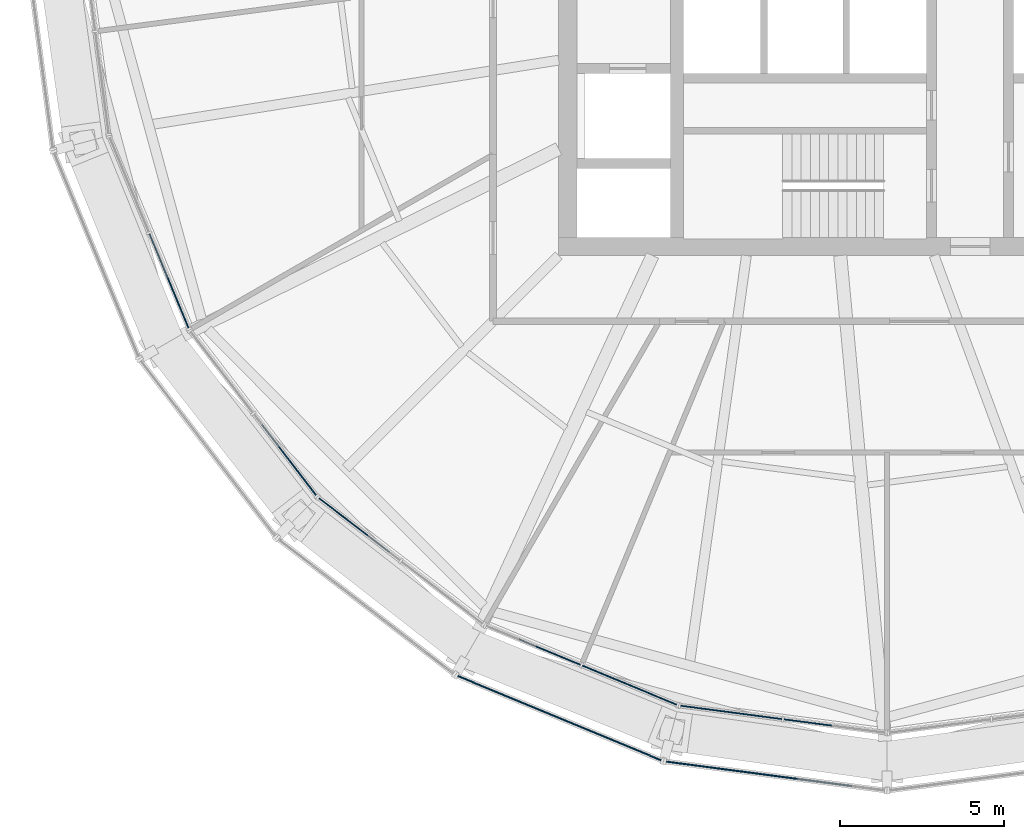
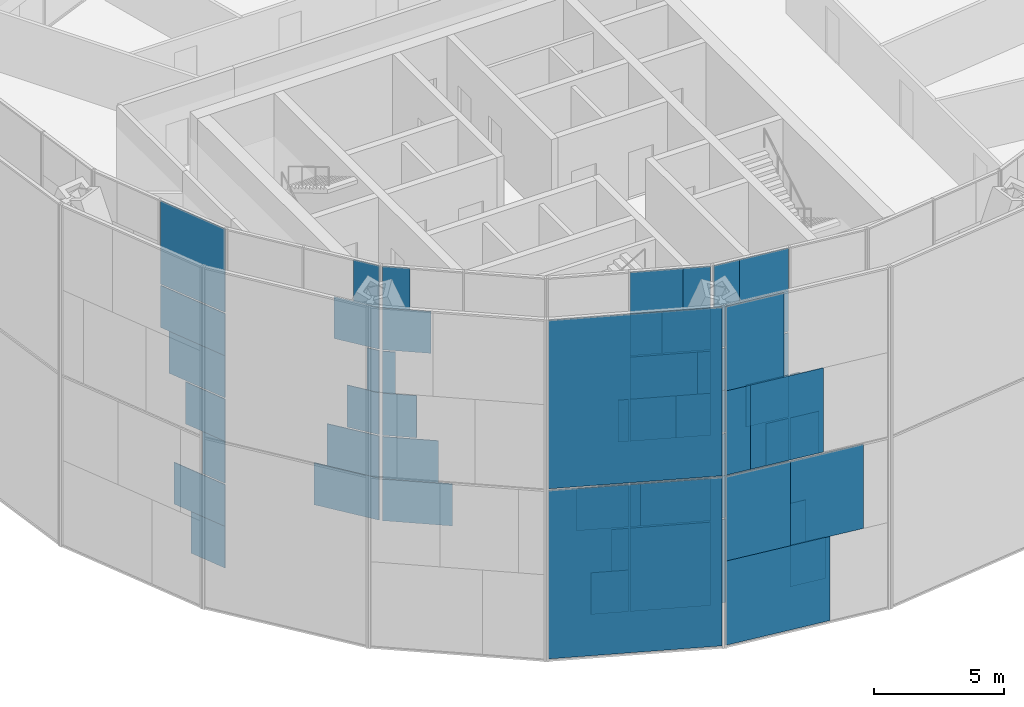
# One storey, part 14 of 29: 62 plates, 7 elements without a shape of their own.
"""IFC4 building model written with IfcOpenShell, lengths in metres."""

from ifc_helpers import new_model, si_unit, direction, frame, origin, origin_2d, place, context, subcontext, project, spatial, rectangle, extrude, material, layer, layer_set, type_object, element, aggregate, save


model = new_model("IFC4")

# Units and contexts
model_context = context("Model", 3, precision=1e-05, world=origin(), true_north=direction((0.0, 1.0)))
body_context = subcontext(model_context, "Body", "Model", "MODEL_VIEW")
ifc_project = project(units=[si_unit("LENGTHUNIT", "METRE"), si_unit("AREAUNIT", "SQUARE_METRE"), si_unit("VOLUMEUNIT", "CUBIC_METRE"), si_unit("PLANEANGLEUNIT", "RADIAN"), si_unit("MASSUNIT", "GRAM", prefix="KILO")], contexts=[model_context])

# Site, building, storey
site_placement = place(None, origin())
site = spatial("IfcSite", under=ifc_project, at=site_placement, CompositionType="ELEMENT")
building_placement = place(site_placement, origin())
building = spatial("IfcBuilding", under=site, at=building_placement, Name="Golbaran Civic Tower", CompositionType="ELEMENT")
storey_placement = place(building_placement, frame((0.0, 0.0, 118.0)))
storey = spatial("IfcBuildingStorey", under=building, at=storey_placement, Name="L28", CompositionType="ELEMENT", Elevation=118.0)

# Curtain wall, plates
ifc_material_1 = material(Name="Aluminium and glass", Category="aluminium")
curtain_wall_type_1 = type_object("IfcCurtainWallType", Name="INNER SKIN CURTAIN WALL", PredefinedType="NOTDEFINED", material=ifc_material_1)
curtain_wall_1_placement = place(storey_placement, origin())
curtain_wall_1 = element("IfcCurtainWall", 1, at=curtain_wall_1_placement, inside=storey, type_object=curtain_wall_type_1, Name="Inner skin L28 facet 14 CW1", ObjectType="INNER SKIN", PredefinedType="USERDEFINED")
ifc_material_2 = material(Name="Clear insulating glass", Category="glass")
ifc_layer_1 = layer(ifc_material_2, 0.031982421875, Name="Clear insulating glass")
ifc_layer_set_1 = layer_set([ifc_layer_1], Name="Clear insulating glass")
plate_type_1 = type_object("IfcPlateType", Name="INNER SKIN CURTAIN WALL GLAZED PANEL", PredefinedType="CURTAIN_PANEL", material=ifc_layer_set_1)
plate_1_placement = place(storey_placement, frame((-21.480712890625, -11.703125, 4.03271484375), z_axis=(0.0, 0.0, 1.0), x_axis=(0.38268343243, -0.923879532485, 0.0)))
plate_1 = element("IfcPlate", 2, at=plate_1_placement, type_object=plate_type_1, Name="CW1 panel 2.2 part 2", PredefinedType="CURTAIN_PANEL", context=body_context, shape_type="SweptSolid", body=[
    extrude(rectangle(XDim=1.0908203125, YDim=0.031982421875, at=origin_2d()), origin(), (0.0, 0.0, 1.0), 1.967529296875),
])
plate_2_placement = place(storey_placement, frame((-21.63671875, -11.32666015625, 6.0), z_axis=(0.0, 0.0, 1.0), x_axis=(0.38268343243, -0.923879532485, 0.0)))
plate_2 = element("IfcPlate", 3, at=plate_2_placement, type_object=plate_type_1, Name="CW1 panel 2.2 part 4", PredefinedType="CURTAIN_PANEL", context=body_context, shape_type="SweptSolid", body=[
    extrude(rectangle(XDim=1.90576171875, YDim=0.031982421875, at=origin_2d()), origin(), (0.0, 0.0, 1.0), 1.967529296875),
])
plate_3_placement = place(storey_placement, frame((-21.78955078125, -10.95751953125, 8.03271484375), z_axis=(0.0, 0.0, 1.0), x_axis=(0.38268343243, -0.923879532485, 0.0)))
plate_3 = element("IfcPlate", 4, at=plate_3_placement, type_object=plate_type_1, Name="CW1 panel 2.3 part 2", PredefinedType="CURTAIN_PANEL", context=body_context, shape_type="SweptSolid", body=[
    extrude(rectangle(XDim=2.704833984375, YDim=0.031982421875, at=origin_2d()), origin(), (0.0, 0.0, 1.0), 1.967529296875),
])
plate_4_placement = place(storey_placement, frame((-21.865966796875, -10.772705078125, 10.0), z_axis=(0.0, 0.0, 1.0), x_axis=(0.38268343243, -0.923879532485, 0.0)))
plate_4 = element("IfcPlate", 5, at=plate_4_placement, type_object=plate_type_1, Name="CW1 panel 2.3 part 3", PredefinedType="CURTAIN_PANEL", context=body_context, shape_type="SweptSolid", body=[
    extrude(rectangle(XDim=3.104736328125, YDim=0.031982421875, at=origin_2d()), origin(), (0.0, 0.0, 1.0), 1.967529296875),
])
plate_5_placement = place(storey_placement, frame((-21.865966796875, -10.772705078125, 12.0322265625), z_axis=(0.0, 0.0, 1.0), x_axis=(0.38268343243, -0.923879532485, 0.0)))
plate_5 = element("IfcPlate", 6, at=plate_5_placement, type_object=plate_type_1, Name="CW1 panel 2.4", PredefinedType="CURTAIN_PANEL", context=body_context, shape_type="SweptSolid", body=[
    extrude(rectangle(XDim=3.104736328125, YDim=0.031982421875, at=origin_2d()), origin(), (0.0, 0.0, 1.0), 3.902587890625),
])

curtain_wall_2_placement = place(storey_placement, origin())
curtain_wall_2 = element("IfcCurtainWall", 7, at=curtain_wall_2_placement, inside=storey, type_object=curtain_wall_type_1, Name="Inner skin L28 facet 15 CW1", ObjectType="INNER SKIN", PredefinedType="USERDEFINED")
plate_6_placement = place(storey_placement, frame((-18.210693359375, -16.22412109375, 4.03271484375), z_axis=(0.0, 0.0, 1.0), x_axis=(0.608761428898, -0.793353340376, 0.0)))
plate_6 = element("IfcPlate", 8, at=plate_6_placement, type_object=plate_type_1, Name="CW1 panel 2.2 part 2", PredefinedType="CURTAIN_PANEL", context=body_context, shape_type="SweptSolid", body=[
    extrude(rectangle(XDim=2.703857421875, YDim=0.031982421875, at=origin_2d()), origin(), (0.0, 0.0, 1.0), 1.967529296875),
])
plate_7_placement = place(storey_placement, frame((-18.046875, -16.4375, 6.0), z_axis=(0.0, 0.0, 1.0), x_axis=(0.608761428898, -0.793353340376, 0.0)))
plate_7 = element("IfcPlate", 9, at=plate_7_placement, type_object=plate_type_1, Name="CW1 panel 2.2 part 4", PredefinedType="CURTAIN_PANEL", context=body_context, shape_type="SweptSolid", body=[
    extrude(rectangle(XDim=2.165771484375, YDim=0.031982421875, at=origin_2d()), origin(), (0.0, 0.0, 1.0), 1.967529296875),
])
plate_8_placement = place(storey_placement, frame((-17.791015625, -16.77099609375, 8.03271484375), z_axis=(0.0, 0.0, 1.0), x_axis=(0.608761428898, -0.793353340376, 0.0)))
plate_8 = element("IfcPlate", 10, at=plate_8_placement, type_object=plate_type_1, Name="CW1 panel 2.3 part 2", PredefinedType="CURTAIN_PANEL", context=body_context, shape_type="SweptSolid", body=[
    extrude(rectangle(XDim=1.324951171875, YDim=0.031982421875, at=origin_2d()), origin(), (0.0, 0.0, 1.0), 1.967529296875),
])
plate_9_placement = place(storey_placement, frame((-17.54296875, -17.09423828125, 10.0), z_axis=(0.0, 0.0, 1.0), x_axis=(0.608761428898, -0.793353340376, 0.0)))
plate_9 = element("IfcPlate", 11, at=plate_9_placement, type_object=plate_type_1, Name="CW1 panel 2.3 part 4", PredefinedType="CURTAIN_PANEL", context=body_context, shape_type="SweptSolid", body=[
    extrude(rectangle(XDim=0.509765625, YDim=0.031982421875, at=origin_2d()), origin(), (0.0, 0.0, 1.0), 1.967529296875),
])

curtain_wall_3_placement = place(storey_placement, origin())
curtain_wall_3 = element("IfcCurtainWall", 12, at=curtain_wall_3_placement, inside=storey, type_object=curtain_wall_type_1, Name="Inner skin L28 facet 16 CW1", ObjectType="INNER SKIN", PredefinedType="USERDEFINED")
plate_10_placement = place(storey_placement, frame((-16.224365234375, -18.21044921875, 4.03271484375), z_axis=(0.0, 0.0, 1.0), x_axis=(0.793353340376, -0.608761428898, 0.0)))
plate_10 = element("IfcPlate", 13, at=plate_10_placement, type_object=plate_type_1, Name="CW1 panel 1.2 part 1", PredefinedType="CURTAIN_PANEL", context=body_context, shape_type="SweptSolid", body=[
    extrude(rectangle(XDim=2.702880859375, YDim=0.031982421875, at=origin_2d()), origin(), (0.0, 0.0, 1.0), 1.967529296875),
])
plate_11_placement = place(storey_placement, frame((-16.4375, -18.047119140625, 6.0), z_axis=(0.0, 0.0, 1.0), x_axis=(0.793353340376, -0.608761428898, 0.0)))
plate_11 = element("IfcPlate", 14, at=plate_11_placement, type_object=plate_type_1, Name="CW1 panel 1.2 part 3", PredefinedType="CURTAIN_PANEL", context=body_context, shape_type="SweptSolid", body=[
    extrude(rectangle(XDim=2.166015625, YDim=0.031982421875, at=origin_2d()), origin(), (0.0, 0.0, 1.0), 1.967529296875),
])
plate_12_placement = place(storey_placement, frame((-16.77099609375, -17.791015625, 8.03271484375), z_axis=(0.0, 0.0, 1.0), x_axis=(0.793353340376, -0.608761428898, 0.0)))
plate_12 = element("IfcPlate", 15, at=plate_12_placement, type_object=plate_type_1, Name="CW1 panel 1.3 part 1", PredefinedType="CURTAIN_PANEL", context=body_context, shape_type="SweptSolid", body=[
    extrude(rectangle(XDim=1.324951171875, YDim=0.031982421875, at=origin_2d()), origin(), (0.0, 0.0, 1.0), 1.967529296875),
])
plate_13_placement = place(storey_placement, frame((-17.09423828125, -17.54296875, 10.0), z_axis=(0.0, 0.0, 1.0), x_axis=(0.793353340376, -0.608761428898, 0.0)))
plate_13 = element("IfcPlate", 16, at=plate_13_placement, type_object=plate_type_1, Name="CW1 panel 1.3 part 3", PredefinedType="CURTAIN_PANEL", context=body_context, shape_type="SweptSolid", body=[
    extrude(rectangle(XDim=0.510009765625, YDim=0.031982421875, at=origin_2d()), origin(), (0.0, 0.0, 1.0), 1.967529296875),
])

curtain_wall_4_placement = place(storey_placement, origin())
curtain_wall_4 = element("IfcCurtainWall", 17, at=curtain_wall_4_placement, inside=storey, type_object=curtain_wall_type_1, Name="Inner skin L28 facet 17 CW1", ObjectType="INNER SKIN", PredefinedType="USERDEFINED")
plate_14_placement = place(storey_placement, frame((-10.012451171875, -22.180908203125, 0.06494140625), z_axis=(0.0, 0.0, 1.0), x_axis=(0.923879532485, -0.38268343243, 0.0)))
plate_14 = element("IfcPlate", 18, at=plate_14_placement, type_object=plate_type_1, Name="CW1 panel 1.1 part 2", PredefinedType="CURTAIN_PANEL", context=body_context, shape_type="SweptSolid", body=[
    extrude(rectangle(XDim=1.458740234375, YDim=0.031982421875, at=origin_2d()), origin(), (0.0, 0.0, 1.0), 1.951171875),
])
plate_15_placement = place(storey_placement, frame((-9.6396484375, -22.33544921875, 2.016357421875), z_axis=(0.0, 0.0, 1.0), x_axis=(0.923879532485, -0.38268343243, 0.0)))
plate_15 = element("IfcPlate", 19, at=plate_15_placement, type_object=plate_type_1, Name="CW1 panel 1.1 part 4", PredefinedType="CURTAIN_PANEL", context=body_context, shape_type="SweptSolid", body=[
    extrude(rectangle(XDim=0.65185546875, YDim=0.031982421875, at=origin_2d()), origin(), (0.0, 0.0, 1.0), 1.951171875),
])
plate_16_placement = place(storey_placement, frame((-7.84423828125, -23.0791015625, 0.06494140625), z_axis=(0.0, 0.0, 1.0), x_axis=(0.923879532485, -0.38268343243, 0.0)))
plate_16 = element("IfcPlate", 20, at=plate_16_placement, type_object=plate_type_1, Name="CW1 panel 2.1", PredefinedType="CURTAIN_PANEL", context=body_context, shape_type="SweptSolid", body=[
    extrude(rectangle(XDim=3.104736328125, YDim=0.031982421875, at=origin_2d()), origin(), (0.0, 0.0, 1.0), 3.902587890625),
])
plate_17_placement = place(storey_placement, frame((-7.658935546875, -23.15576171875, 4.03271484375), z_axis=(0.0, 0.0, 1.0), x_axis=(0.923879532485, -0.38268343243, 0.0)))
plate_17 = element("IfcPlate", 21, at=plate_17_placement, type_object=plate_type_1, Name="CW1 panel 2.2 part 2", PredefinedType="CURTAIN_PANEL", context=body_context, shape_type="SweptSolid", body=[
    extrude(rectangle(XDim=2.703857421875, YDim=0.031982421875, at=origin_2d()), origin(), (0.0, 0.0, 1.0), 1.967529296875),
])
plate_18_placement = place(storey_placement, frame((-7.410400390625, -23.2587890625, 6.0), z_axis=(0.0, 0.0, 1.0), x_axis=(0.923879532485, -0.38268343243, 0.0)))
plate_18 = element("IfcPlate", 22, at=plate_18_placement, type_object=plate_type_1, Name="CW1 panel 2.2 part 4", PredefinedType="CURTAIN_PANEL", context=body_context, shape_type="SweptSolid", body=[
    extrude(rectangle(XDim=2.165771484375, YDim=0.031982421875, at=origin_2d()), origin(), (0.0, 0.0, 1.0), 1.967529296875),
])
plate_19_placement = place(storey_placement, frame((-7.02197265625, -23.419677734375, 8.03271484375), z_axis=(0.0, 0.0, 1.0), x_axis=(0.923879532485, -0.38268343243, 0.0)))
plate_19 = element("IfcPlate", 23, at=plate_19_placement, type_object=plate_type_1, Name="CW1 panel 2.3 part 2", PredefinedType="CURTAIN_PANEL", context=body_context, shape_type="SweptSolid", body=[
    extrude(rectangle(XDim=1.324951171875, YDim=0.031982421875, at=origin_2d()), origin(), (0.0, 0.0, 1.0), 1.967529296875),
])
plate_20_placement = place(storey_placement, frame((-6.6455078125, -23.57568359375, 10.0), z_axis=(0.0, 0.0, 1.0), x_axis=(0.923879532485, -0.38268343243, 0.0)))
plate_20 = element("IfcPlate", 24, at=plate_20_placement, type_object=plate_type_1, Name="CW1 panel 2.3 part 4", PredefinedType="CURTAIN_PANEL", context=body_context, shape_type="SweptSolid", body=[
    extrude(rectangle(XDim=0.509765625, YDim=0.031982421875, at=origin_2d()), origin(), (0.0, 0.0, 1.0), 1.967529296875),
])
plate_21_placement = place(storey_placement, frame((-8.709228515625, -22.720703125, 12.032470703125), z_axis=(0.0, 0.0, 1.0), x_axis=(0.923879532485, -0.38268343243, 0.0)))
plate_21 = element("IfcPlate", 25, at=plate_21_placement, type_object=plate_type_1, Name="CW1 panel 2.4 part 1", PredefinedType="CURTAIN_PANEL", context=body_context, shape_type="SweptSolid", body=[
    extrude(rectangle(XDim=1.23193359375, YDim=0.031982421875, at=origin_2d()), origin(), (0.0, 0.0, 1.0), 1.951171875),
])
plate_22_placement = place(storey_placement, frame((-8.3359375, -22.875244140625, 13.98388671875), z_axis=(0.0, 0.0, 1.0), x_axis=(0.923879532485, -0.38268343243, 0.0)))
plate_22 = element("IfcPlate", 26, at=plate_22_placement, type_object=plate_type_1, Name="CW1 panel 2.4 part 3", PredefinedType="CURTAIN_PANEL", context=body_context, shape_type="SweptSolid", body=[
    extrude(rectangle(XDim=2.0400390625, YDim=0.031982421875, at=origin_2d()), origin(), (0.0, 0.0, 1.0), 1.951171875),
])

curtain_wall_5_placement = place(storey_placement, origin())
curtain_wall_5 = element("IfcCurtainWall", 27, at=curtain_wall_5_placement, inside=storey, type_object=curtain_wall_type_1, Name="Inner skin L28 facet 18 CW1", ObjectType="INNER SKIN", PredefinedType="USERDEFINED")
plate_23_placement = place(storey_placement, frame((-4.746337890625, -23.9091796875, 0.06494140625), z_axis=(0.0, 0.0, 1.0), x_axis=(0.991444861372, -0.130526192237, 0.0)))
plate_23 = element("IfcPlate", 28, at=plate_23_placement, type_object=plate_type_1, Name="CW1 panel 1.1", PredefinedType="CURTAIN_PANEL", context=body_context, shape_type="SweptSolid", body=[
    extrude(rectangle(XDim=3.104736328125, YDim=0.031982421875, at=origin_2d()), origin(), (0.0, 0.0, 1.0), 3.902587890625),
])
plate_24_placement = place(storey_placement, frame((-4.945556640625, -23.8828125, 4.03271484375), z_axis=(0.0, 0.0, 1.0), x_axis=(0.991444861372, -0.130526192237, 0.0)))
plate_24 = element("IfcPlate", 29, at=plate_24_placement, type_object=plate_type_1, Name="CW1 panel 1.2 part 1", PredefinedType="CURTAIN_PANEL", context=body_context, shape_type="SweptSolid", body=[
    extrude(rectangle(XDim=2.702880859375, YDim=0.031982421875, at=origin_2d()), origin(), (0.0, 0.0, 1.0), 1.967529296875),
])
plate_25_placement = place(storey_placement, frame((-5.211669921875, -23.847900390625, 6.0), z_axis=(0.0, 0.0, 1.0), x_axis=(0.991444861372, -0.130526192237, 0.0)))
plate_25 = element("IfcPlate", 30, at=plate_25_placement, type_object=plate_type_1, Name="CW1 panel 1.2 part 3", PredefinedType="CURTAIN_PANEL", context=body_context, shape_type="SweptSolid", body=[
    extrude(rectangle(XDim=2.166015625, YDim=0.031982421875, at=origin_2d()), origin(), (0.0, 0.0, 1.0), 1.967529296875),
])
plate_26_placement = place(storey_placement, frame((-5.628662109375, -23.79296875, 8.03271484375), z_axis=(0.0, 0.0, 1.0), x_axis=(0.991444861372, -0.130526192237, 0.0)))
plate_26 = element("IfcPlate", 31, at=plate_26_placement, type_object=plate_type_1, Name="CW1 panel 1.3 part 1", PredefinedType="CURTAIN_PANEL", context=body_context, shape_type="SweptSolid", body=[
    extrude(rectangle(XDim=1.324951171875, YDim=0.031982421875, at=origin_2d()), origin(), (0.0, 0.0, 1.0), 1.967529296875),
])
plate_27_placement = place(storey_placement, frame((-6.03271484375, -23.73974609375, 10.0), z_axis=(0.0, 0.0, 1.0), x_axis=(0.991444861372, -0.130526192237, 0.0)))
plate_27 = element("IfcPlate", 32, at=plate_27_placement, type_object=plate_type_1, Name="CW1 panel 1.3 part 3", PredefinedType="CURTAIN_PANEL", context=body_context, shape_type="SweptSolid", body=[
    extrude(rectangle(XDim=0.510009765625, YDim=0.031982421875, at=origin_2d()), origin(), (0.0, 0.0, 1.0), 1.967529296875),
])
plate_28_placement = place(storey_placement, frame((-3.81787109375, -24.031494140625, 12.032470703125), z_axis=(0.0, 0.0, 1.0), x_axis=(0.991444861372, -0.130526192237, 0.0)))
plate_28 = element("IfcPlate", 33, at=plate_28_placement, type_object=plate_type_1, Name="CW1 panel 1.4 part 2", PredefinedType="CURTAIN_PANEL", context=body_context, shape_type="SweptSolid", body=[
    extrude(rectangle(XDim=1.23193359375, YDim=0.031982421875, at=origin_2d()), origin(), (0.0, 0.0, 1.0), 1.951171875),
])
plate_29_placement = place(storey_placement, frame((-4.21826171875, -23.978759765625, 13.98388671875), z_axis=(0.0, 0.0, 1.0), x_axis=(0.991444861372, -0.130526192237, 0.0)))
plate_29 = element("IfcPlate", 34, at=plate_29_placement, type_object=plate_type_1, Name="CW1 panel 1.4 part 4", PredefinedType="CURTAIN_PANEL", context=body_context, shape_type="SweptSolid", body=[
    extrude(rectangle(XDim=2.039794921875, YDim=0.031982421875, at=origin_2d()), origin(), (0.0, 0.0, 1.0), 1.951171875),
])
plate_30_placement = place(storey_placement, frame((-2.41943359375, -24.215576171875, 0.06494140625), z_axis=(0.0, 0.0, 1.0), x_axis=(0.991444861372, -0.130526192237, 0.0)))
plate_30 = element("IfcPlate", 35, at=plate_30_placement, type_object=plate_type_1, Name="CW1 panel 2.1 part 1", PredefinedType="CURTAIN_PANEL", context=body_context, shape_type="SweptSolid", body=[
    extrude(rectangle(XDim=1.458984375, YDim=0.031982421875, at=origin_2d()), origin(), (0.0, 0.0, 1.0), 1.951171875),
])
plate_31_placement = place(storey_placement, frame((-2.820068359375, -24.162841796875, 2.016357421875), z_axis=(0.0, 0.0, 1.0), x_axis=(0.991444861372, -0.130526192237, 0.0)))
plate_31 = element("IfcPlate", 36, at=plate_31_placement, type_object=plate_type_1, Name="CW1 panel 2.1 part 3", PredefinedType="CURTAIN_PANEL", context=body_context, shape_type="SweptSolid", body=[
    extrude(rectangle(XDim=0.65087890625, YDim=0.031982421875, at=origin_2d()), origin(), (0.0, 0.0, 1.0), 1.951171875),
])

# Plate
ifc_material_3 = material(Name="Aluminium faced opaque infill panel", Category="aluminium")
ifc_layer_2 = layer(ifc_material_3, 0.031982421875, Name="Aluminium faced opaque infill panel")
ifc_layer_set_2 = layer_set([ifc_layer_2], Name="Aluminium faced opaque infill panel")
plate_type_2 = type_object("IfcPlateType", Name="INNER SKIN CURTAIN WALL OPAQUE INFILL PANEL", PredefinedType="CURTAIN_PANEL", material=ifc_layer_set_2)
plate_32_placement = place(storey_placement, frame((-21.5869140625, -11.44677734375, 0.06494140625), z_axis=(0.0, 0.0, 1.0), x_axis=(0.38268343243, -0.923879532485, 0.0)))
plate_32 = element("IfcPlate", 37, at=plate_32_placement, type_object=plate_type_2, Name="CW1 infill panel 2.1 part 2", PredefinedType="CURTAIN_PANEL", context=body_context, shape_type="SweptSolid", body=[
    extrude(rectangle(XDim=1.645751953125, YDim=0.031982421875, at=origin_2d()), origin(), (0.0, 0.0, 1.0), 1.951171875),
])

plate_33_placement = place(storey_placement, frame((-21.741455078125, -11.073486328125, 2.016357421875), z_axis=(0.0, 0.0, 1.0), x_axis=(0.38268343243, -0.923879532485, 0.0)))
plate_33 = element("IfcPlate", 38, at=plate_33_placement, type_object=plate_type_2, Name="CW1 infill panel 2.1 part 4", PredefinedType="CURTAIN_PANEL", context=body_context, shape_type="SweptSolid", body=[
    extrude(rectangle(XDim=2.453857421875, YDim=0.031982421875, at=origin_2d()), origin(), (0.0, 0.0, 1.0), 1.951171875),
])

aggregate(curtain_wall_1, [plate_32, plate_33, plate_1, plate_2, plate_3, plate_4, plate_5])

plate_34_placement = place(storey_placement, frame((-17.957763671875, -16.5537109375, 12.032470703125), z_axis=(0.0, 0.0, 1.0), x_axis=(0.608761428898, -0.793353340376, 0.0)))
plate_34 = element("IfcPlate", 39, at=plate_34_placement, type_object=plate_type_2, Name="CW1 infill panel 2.4 part 2", PredefinedType="CURTAIN_PANEL", context=body_context, shape_type="SweptSolid", body=[
    extrude(rectangle(XDim=1.872802734375, YDim=0.031982421875, at=origin_2d()), origin(), (0.0, 0.0, 1.0), 1.951171875),
])

plate_35_placement = place(storey_placement, frame((-17.7119140625, -16.874267578125, 13.98388671875), z_axis=(0.0, 0.0, 1.0), x_axis=(0.608761428898, -0.793353340376, 0.0)))
plate_35 = element("IfcPlate", 40, at=plate_35_placement, type_object=plate_type_2, Name="CW1 infill panel 2.4 part 4", PredefinedType="CURTAIN_PANEL", context=body_context, shape_type="SweptSolid", body=[
    extrude(rectangle(XDim=1.06494140625, YDim=0.031982421875, at=origin_2d()), origin(), (0.0, 0.0, 1.0), 1.951171875),
])

aggregate(curtain_wall_2, [plate_6, plate_7, plate_8, plate_9, plate_34, plate_35])

plate_36_placement = place(storey_placement, frame((-16.5537109375, -17.957763671875, 12.032470703125), z_axis=(0.0, 0.0, 1.0), x_axis=(0.793353340376, -0.608761428898, 0.0)))
plate_36 = element("IfcPlate", 41, at=plate_36_placement, type_object=plate_type_2, Name="CW1 infill panel 1.4 part 1", PredefinedType="CURTAIN_PANEL", context=body_context, shape_type="SweptSolid", body=[
    extrude(rectangle(XDim=1.873046875, YDim=0.031982421875, at=origin_2d()), origin(), (0.0, 0.0, 1.0), 1.951171875),
])

plate_37_placement = place(storey_placement, frame((-16.8740234375, -17.7119140625, 13.98388671875), z_axis=(0.0, 0.0, 1.0), x_axis=(0.793353340376, -0.608761428898, 0.0)))
plate_37 = element("IfcPlate", 42, at=plate_37_placement, type_object=plate_type_2, Name="CW1 infill panel 1.4 part 3", PredefinedType="CURTAIN_PANEL", context=body_context, shape_type="SweptSolid", body=[
    extrude(rectangle(XDim=1.06494140625, YDim=0.031982421875, at=origin_2d()), origin(), (0.0, 0.0, 1.0), 1.951171875),
])

aggregate(curtain_wall_3, [plate_10, plate_11, plate_12, plate_13, plate_36, plate_37])

plate_38_placement = place(storey_placement, frame((-10.268798828125, -22.07470703125, 4.03271484375), z_axis=(0.0, 0.0, 1.0), x_axis=(0.923879532485, -0.38268343243, 0.0)))
plate_38 = element("IfcPlate", 43, at=plate_38_placement, type_object=plate_type_2, Name="CW1 infill panel 1.2 part 2", PredefinedType="CURTAIN_PANEL", context=body_context, shape_type="SweptSolid", body=[
    extrude(rectangle(XDim=2.013916015625, YDim=0.031982421875, at=origin_2d()), origin(), (0.0, 0.0, 1.0), 1.967529296875),
])

plate_39_placement = place(storey_placement, frame((-9.892822265625, -22.23046875, 6.0), z_axis=(0.0, 0.0, 1.0), x_axis=(0.923879532485, -0.38268343243, 0.0)))
plate_39 = element("IfcPlate", 44, at=plate_39_placement, type_object=plate_type_2, Name="CW1 infill panel 1.2 part 4", PredefinedType="CURTAIN_PANEL", context=body_context, shape_type="SweptSolid", body=[
    extrude(rectangle(XDim=1.199951171875, YDim=0.031982421875, at=origin_2d()), origin(), (0.0, 0.0, 1.0), 1.967529296875),
])

plate_40_placement = place(storey_placement, frame((-9.524169921875, -22.38330078125, 8.03271484375), z_axis=(0.0, 0.0, 1.0), x_axis=(0.923879532485, -0.38268343243, 0.0)))
plate_40 = element("IfcPlate", 45, at=plate_40_placement, type_object=plate_type_2, Name="CW1 infill panel 1.3 part 2", PredefinedType="CURTAIN_PANEL", context=body_context, shape_type="SweptSolid", body=[
    extrude(rectangle(XDim=0.40185546875, YDim=0.031982421875, at=origin_2d()), origin(), (0.0, 0.0, 1.0), 1.967529296875),
])

plate_41_placement = place(storey_placement, frame((-9.09326171875, -22.561767578125, 4.03271484375), z_axis=(0.0, 0.0, 1.0), x_axis=(0.923879532485, -0.38268343243, 0.0)))
plate_41 = element("IfcPlate", 46, at=plate_41_placement, type_object=plate_type_2, Name="CW1 infill panel 2.2 part 1", PredefinedType="CURTAIN_PANEL", context=body_context, shape_type="SweptSolid", body=[
    extrude(rectangle(XDim=0.40087890625, YDim=0.031982421875, at=origin_2d()), origin(), (0.0, 0.0, 1.0), 1.967529296875),
])

plate_42_placement = place(storey_placement, frame((-8.8447265625, -22.66455078125, 6.0), z_axis=(0.0, 0.0, 1.0), x_axis=(0.923879532485, -0.38268343243, 0.0)))
plate_42 = element("IfcPlate", 47, at=plate_42_placement, type_object=plate_type_2, Name="CW1 infill panel 2.2 part 3", PredefinedType="CURTAIN_PANEL", context=body_context, shape_type="SweptSolid", body=[
    extrude(rectangle(XDim=0.93896484375, YDim=0.031982421875, at=origin_2d()), origin(), (0.0, 0.0, 1.0), 1.967529296875),
])

plate_43_placement = place(storey_placement, frame((-8.4560546875, -22.82568359375, 8.03271484375), z_axis=(0.0, 0.0, 1.0), x_axis=(0.923879532485, -0.38268343243, 0.0)))
plate_43 = element("IfcPlate", 48, at=plate_43_placement, type_object=plate_type_2, Name="CW1 infill panel 2.3 part 1", PredefinedType="CURTAIN_PANEL", context=body_context, shape_type="SweptSolid", body=[
    extrude(rectangle(XDim=1.780029296875, YDim=0.031982421875, at=origin_2d()), origin(), (0.0, 0.0, 1.0), 1.967529296875),
])

plate_44_placement = place(storey_placement, frame((-8.07958984375, -22.9814453125, 10.0), z_axis=(0.0, 0.0, 1.0), x_axis=(0.923879532485, -0.38268343243, 0.0)))
plate_44 = element("IfcPlate", 49, at=plate_44_placement, type_object=plate_type_2, Name="CW1 infill panel 2.3 part 3", PredefinedType="CURTAIN_PANEL", context=body_context, shape_type="SweptSolid", body=[
    extrude(rectangle(XDim=2.594970703125, YDim=0.031982421875, at=origin_2d()), origin(), (0.0, 0.0, 1.0), 1.967529296875),
])

plate_45_placement = place(storey_placement, frame((-7.275146484375, -23.314697265625, 12.032470703125), z_axis=(0.0, 0.0, 1.0), x_axis=(0.923879532485, -0.38268343243, 0.0)))
plate_45 = element("IfcPlate", 50, at=plate_45_placement, type_object=plate_type_2, Name="CW1 infill panel 2.4 part 2", PredefinedType="CURTAIN_PANEL", context=body_context, shape_type="SweptSolid", body=[
    extrude(rectangle(XDim=1.872802734375, YDim=0.031982421875, at=origin_2d()), origin(), (0.0, 0.0, 1.0), 1.951171875),
])

plate_46_placement = place(storey_placement, frame((-6.90185546875, -23.469482421875, 13.98388671875), z_axis=(0.0, 0.0, 1.0), x_axis=(0.923879532485, -0.38268343243, 0.0)))
plate_46 = element("IfcPlate", 51, at=plate_46_placement, type_object=plate_type_2, Name="CW1 infill panel 2.4 part 4", PredefinedType="CURTAIN_PANEL", context=body_context, shape_type="SweptSolid", body=[
    extrude(rectangle(XDim=1.06494140625, YDim=0.031982421875, at=origin_2d()), origin(), (0.0, 0.0, 1.0), 1.951171875),
])

aggregate(curtain_wall_4, [plate_14, plate_15, plate_38, plate_39, plate_40, plate_16, plate_41, plate_17, plate_42, plate_18, plate_43, plate_19, plate_44, plate_20, plate_21, plate_45, plate_22, plate_46])

plate_47_placement = place(storey_placement, frame((-3.40625, -24.08544921875, 4.03271484375), z_axis=(0.0, 0.0, 1.0), x_axis=(0.991444861372, -0.130526192237, 0.0)))
plate_47 = element("IfcPlate", 52, at=plate_47_placement, type_object=plate_type_2, Name="CW1 infill panel 1.2 part 2", PredefinedType="CURTAIN_PANEL", context=body_context, shape_type="SweptSolid", body=[
    extrude(rectangle(XDim=0.40185546875, YDim=0.031982421875, at=origin_2d()), origin(), (0.0, 0.0, 1.0), 1.967529296875),
])

plate_48_placement = place(storey_placement, frame((-3.672607421875, -24.050537109375, 6.0), z_axis=(0.0, 0.0, 1.0), x_axis=(0.991444861372, -0.130526192237, 0.0)))
plate_48 = element("IfcPlate", 53, at=plate_48_placement, type_object=plate_type_2, Name="CW1 infill panel 1.2 part 4", PredefinedType="CURTAIN_PANEL", context=body_context, shape_type="SweptSolid", body=[
    extrude(rectangle(XDim=0.938720703125, YDim=0.031982421875, at=origin_2d()), origin(), (0.0, 0.0, 1.0), 1.967529296875),
])

plate_49_placement = place(storey_placement, frame((-4.08935546875, -23.99560546875, 8.03271484375), z_axis=(0.0, 0.0, 1.0), x_axis=(0.991444861372, -0.130526192237, 0.0)))
plate_49 = element("IfcPlate", 54, at=plate_49_placement, type_object=plate_type_2, Name="CW1 infill panel 1.3 part 2", PredefinedType="CURTAIN_PANEL", context=body_context, shape_type="SweptSolid", body=[
    extrude(rectangle(XDim=1.77978515625, YDim=0.031982421875, at=origin_2d()), origin(), (0.0, 0.0, 1.0), 1.967529296875),
])

plate_50_placement = place(storey_placement, frame((-4.493408203125, -23.9423828125, 10.0), z_axis=(0.0, 0.0, 1.0), x_axis=(0.991444861372, -0.130526192237, 0.0)))
plate_50 = element("IfcPlate", 55, at=plate_50_placement, type_object=plate_type_2, Name="CW1 infill panel 1.3 part 4", PredefinedType="CURTAIN_PANEL", context=body_context, shape_type="SweptSolid", body=[
    extrude(rectangle(XDim=2.5947265625, YDim=0.031982421875, at=origin_2d()), origin(), (0.0, 0.0, 1.0), 1.967529296875),
])

plate_51_placement = place(storey_placement, frame((-5.35693359375, -23.828857421875, 12.032470703125), z_axis=(0.0, 0.0, 1.0), x_axis=(0.991444861372, -0.130526192237, 0.0)))
plate_51 = element("IfcPlate", 56, at=plate_51_placement, type_object=plate_type_2, Name="CW1 infill panel 1.4 part 1", PredefinedType="CURTAIN_PANEL", context=body_context, shape_type="SweptSolid", body=[
    extrude(rectangle(XDim=1.873046875, YDim=0.031982421875, at=origin_2d()), origin(), (0.0, 0.0, 1.0), 1.951171875),
])

plate_52_placement = place(storey_placement, frame((-5.757568359375, -23.776123046875, 13.98388671875), z_axis=(0.0, 0.0, 1.0), x_axis=(0.991444861372, -0.130526192237, 0.0)))
plate_52 = element("IfcPlate", 57, at=plate_52_placement, type_object=plate_type_2, Name="CW1 infill panel 1.4 part 3", PredefinedType="CURTAIN_PANEL", context=body_context, shape_type="SweptSolid", body=[
    extrude(rectangle(XDim=1.06494140625, YDim=0.031982421875, at=origin_2d()), origin(), (0.0, 0.0, 1.0), 1.951171875),
])

plate_53_placement = place(storey_placement, frame((-2.54833984375, -24.198486328125, 6.0), z_axis=(0.0, 0.0, 1.0), x_axis=(0.991444861372, -0.130526192237, 0.0)))
plate_53 = element("IfcPlate", 58, at=plate_53_placement, type_object=plate_type_2, Name="CW1 infill panel 2.2 part 3", PredefinedType="CURTAIN_PANEL", context=body_context, shape_type="SweptSolid", body=[
    extrude(rectangle(XDim=1.198974609375, YDim=0.031982421875, at=origin_2d()), origin(), (0.0, 0.0, 1.0), 1.967529296875),
])

plate_54_placement = place(storey_placement, frame((-2.9443359375, -24.146240234375, 8.03271484375), z_axis=(0.0, 0.0, 1.0), x_axis=(0.991444861372, -0.130526192237, 0.0)))
plate_54 = element("IfcPlate", 59, at=plate_54_placement, type_object=plate_type_2, Name="CW1 infill panel 2.3 part 1", PredefinedType="CURTAIN_PANEL", context=body_context, shape_type="SweptSolid", body=[
    extrude(rectangle(XDim=0.39990234375, YDim=0.031982421875, at=origin_2d()), origin(), (0.0, 0.0, 1.0), 1.967529296875),
])

aggregate(curtain_wall_5, [plate_23, plate_24, plate_47, plate_25, plate_48, plate_26, plate_49, plate_27, plate_50, plate_51, plate_28, plate_52, plate_29, plate_30, plate_31, plate_53, plate_54])

# Curtain wall, plates
curtain_wall_type_2 = type_object("IfcCurtainWallType", Name="OUTER SKIN TERRACOTTA SCREEN", PredefinedType="NOTDEFINED", material=ifc_material_1)
curtain_wall_6_placement = place(storey_placement, origin())
curtain_wall_6 = element("IfcCurtainWall", 60, at=curtain_wall_6_placement, inside=storey, type_object=curtain_wall_type_2, Name="Outer skin L28 facet 18 CW3", ObjectType="OUTER SKIN", PredefinedType="USERDEFINED")
ifc_material_4 = material(Name="Clear laminated glass", Category="glass")
ifc_layer_3 = layer(ifc_material_4, 0.0400390625, Name="Clear laminated glass")
ifc_layer_set_3 = layer_set([ifc_layer_3], Name="Clear laminated glass")
plate_type_3 = type_object("IfcPlateType", Name="OUTER SKIN CLEAR GLASS PANEL", PredefinedType="CURTAIN_PANEL", material=ifc_layer_set_3)
plate_55_placement = place(storey_placement, frame((-4.59033203125, -25.688720703125, -0.6298828125), z_axis=(0.0, 0.0, 1.0), x_axis=(0.991444861381, -0.130526192168, 0.0)))
plate_55 = element("IfcPlate", 61, at=plate_55_placement, type_object=plate_type_3, Name="CW3 panel 1.1 part 1", PredefinedType="CURTAIN_PANEL", context=body_context, shape_type="SweptSolid", body=[
    extrude(rectangle(XDim=4.30810546875, YDim=0.0400390625, at=origin_2d()), origin(), (0.0, 0.0, 1.0), 3.93994140625),
])
plate_56_placement = place(storey_placement, frame((-5.398681640625, -25.582275390625, 3.31005859375), z_axis=(0.0, 0.0, 1.0), x_axis=(0.991444861381, -0.130526192168, 0.0)))
plate_56 = element("IfcPlate", 62, at=plate_56_placement, type_object=plate_type_3, Name="CW3 panel 1.1 part 3", PredefinedType="CURTAIN_PANEL", context=body_context, shape_type="SweptSolid", body=[
    extrude(rectangle(XDim=2.677001953125, YDim=0.0400390625, at=origin_2d()), origin(), (0.0, 0.0, 1.0), 3.93994140625),
])
plate_57_placement = place(storey_placement, frame((-6.22314453125, -25.4736328125, 7.330078125), z_axis=(0.0, 0.0, 1.0), x_axis=(0.991444861381, -0.130526192168, 0.0)))
plate_57 = element("IfcPlate", 63, at=plate_57_placement, type_object=plate_type_3, Name="CW3 panel 1.2 part 1", PredefinedType="CURTAIN_PANEL", context=body_context, shape_type="SweptSolid", body=[
    extrude(rectangle(XDim=1.013916015625, YDim=0.0400390625, at=origin_2d()), origin(), (0.0, 0.0, 1.0), 3.93994140625),
])
ifc_material_5 = material(Name="Terracotta baguette screen", Category="masonry")
ifc_layer_4 = layer(ifc_material_5, 0.0400390625, Name="Terracotta baguette screen")
ifc_layer_set_4 = layer_set([ifc_layer_4], Name="Terracotta baguette screen")
plate_type_4 = type_object("IfcPlateType", Name="OUTER SKIN TERRACOTTA INFILL PANEL", PredefinedType="CURTAIN_PANEL", material=ifc_layer_set_4)
plate_58_placement = place(storey_placement, frame((-2.57470703125, -25.9541015625, 3.31005859375), z_axis=(0.0, 0.0, 1.0), x_axis=(0.991444861381, -0.130526192168, 0.0)))
plate_58 = element("IfcPlate", 64, at=plate_58_placement, type_object=plate_type_4, Name="CW3 infill panel 1.1 part 4", PredefinedType="CURTAIN_PANEL", context=body_context, shape_type="SweptSolid", body=[
    extrude(rectangle(XDim=3.02001953125, YDim=0.0400390625, at=origin_2d()), origin(), (0.0, 0.0, 1.0), 3.93994140625),
])
plate_59_placement = place(storey_placement, frame((-4.223876953125, -25.73681640625, 7.330078125), z_axis=(0.0, 0.0, 1.0), x_axis=(0.991444861381, -0.130526192168, 0.0)))
plate_59 = element("IfcPlate", 65, at=plate_59_placement, type_object=plate_type_4, Name="CW3 infill panel 1.2 part 2", PredefinedType="CURTAIN_PANEL", context=body_context, shape_type="SweptSolid", body=[
    extrude(rectangle(XDim=3.01904296875, YDim=0.0400390625, at=origin_2d()), origin(), (0.0, 0.0, 1.0), 3.93994140625),
])
plate_60_placement = place(storey_placement, frame((-5.53466796875, -25.564453125, 11.27001953125), z_axis=(0.0, 0.0, 1.0), x_axis=(0.991444861381, -0.130526192168, 0.0)))
plate_60 = element("IfcPlate", 66, at=plate_60_placement, type_object=plate_type_4, Name="CW3 infill panel 1.2 part 4", PredefinedType="CURTAIN_PANEL", context=body_context, shape_type="SweptSolid", body=[
    extrude(rectangle(XDim=2.403076171875, YDim=0.0400390625, at=origin_2d()), origin(), (0.0, 0.0, 1.0), 3.93994140625),
])
aggregate(curtain_wall_6, [plate_55, plate_56, plate_58, plate_57, plate_59, plate_60])

curtain_wall_7_placement = place(storey_placement, origin())
curtain_wall_7 = element("IfcCurtainWall", 67, at=curtain_wall_7_placement, inside=storey, type_object=curtain_wall_type_2, Name="Outer skin L28 facet 17 CW3", ObjectType="OUTER SKIN", PredefinedType="USERDEFINED")
ifc_layer_5 = layer(ifc_material_5, 0.0400390625, Name="Terracotta baguette screen")
ifc_layer_set_5 = layer_set([ifc_layer_5], Name="Terracotta baguette screen")
plate_type_5 = type_object("IfcPlateType", Name="OUTER SKIN TERRACOTTA SCREEN PANEL", PredefinedType="CURTAIN_PANEL", material=ifc_layer_set_5)
plate_61_placement = place(storey_placement, frame((-9.975830078125, -24.083740234375, -0.6298828125), z_axis=(0.0, 0.0, 1.0), x_axis=(0.923879532505, -0.382683432381, 0.0)))
plate_61 = element("IfcPlate", 68, at=plate_61_placement, type_object=plate_type_5, Name="CW3 terracotta screen panel 1.1", PredefinedType="CURTAIN_PANEL", context=body_context, shape_type="SweptSolid", body=[
    extrude(rectangle(XDim=6.703857421875, YDim=0.0400390625, at=origin_2d()), origin(), (0.0, 0.0, 1.0), 7.8798828125),
])
plate_62_placement = place(storey_placement, frame((-9.975830078125, -24.083740234375, 7.330078125), z_axis=(0.0, 0.0, 1.0), x_axis=(0.923879532505, -0.382683432381, 0.0)))
plate_62 = element("IfcPlate", 69, at=plate_62_placement, type_object=plate_type_5, Name="CW3 terracotta screen panel 1.2", PredefinedType="CURTAIN_PANEL", context=body_context, shape_type="SweptSolid", body=[
    extrude(rectangle(XDim=6.703857421875, YDim=0.0400390625, at=origin_2d()), origin(), (0.0, 0.0, 1.0), 7.8798828125),
])
aggregate(curtain_wall_7, [plate_61, plate_62])

save(model, "model.ifc")
